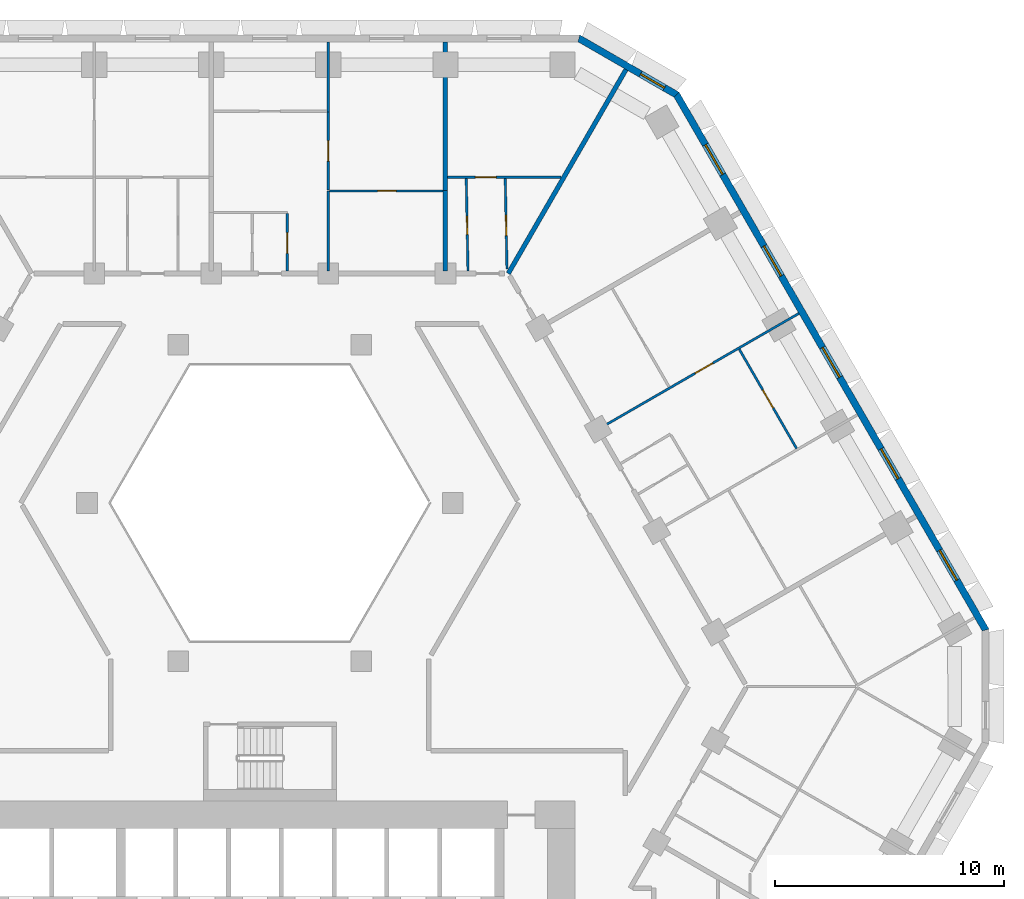
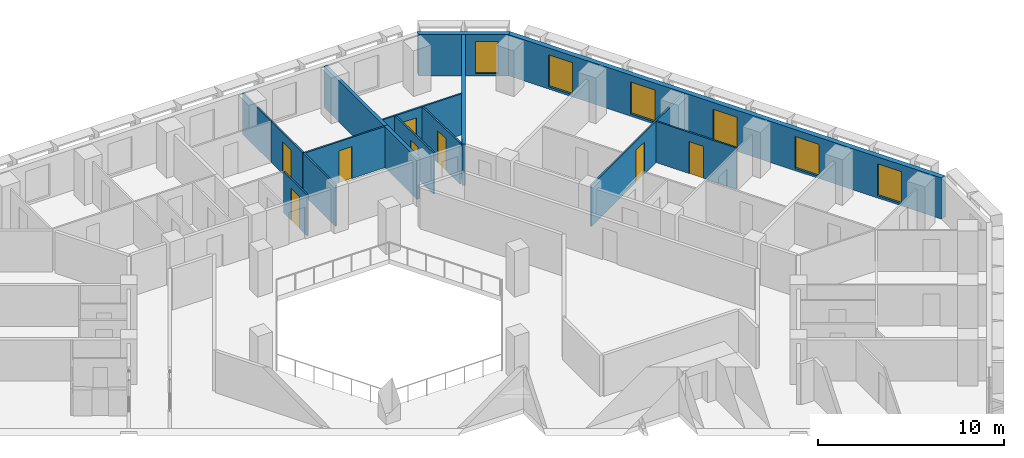
# One storey, part 10 of 16: 15 walls, 8 doors, 6 windows, 14 openings.
"""IFC4 building model written with IfcOpenShell, lengths in metres."""

from ifc_helpers import new_model, si_unit, direction, frame, frame_2d, origin, place, context, subcontext, project, spatial, polyline, rectangle, outline, extrude, material, layer, layer_set, type_object, element, fill, save


model = new_model("IFC4")

# Units and contexts
model_context = context("Model", 3, precision=1e-05, world=origin(), true_north=direction((0.0, 1.0)))
body_context = subcontext(model_context, "Body", "Model", "MODEL_VIEW")
ifc_project = project(units=[si_unit("LENGTHUNIT", "METRE"), si_unit("AREAUNIT", "SQUARE_METRE"), si_unit("VOLUMEUNIT", "CUBIC_METRE"), si_unit("PLANEANGLEUNIT", "RADIAN"), si_unit("MASSUNIT", "GRAM", prefix="KILO")], contexts=[model_context])

# Site, building, storey
site_placement = place(None, origin())
site = spatial("IfcSite", under=ifc_project, at=site_placement, CompositionType="ELEMENT")
building_placement = place(site_placement, origin())
building = spatial("IfcBuilding", under=site, at=building_placement, Name="Beryl Residences", CompositionType="ELEMENT")
storey_placement = place(building_placement, frame((0.0, 0.0, 26.39990234375)))
storey = spatial("IfcBuildingStorey", under=building, at=storey_placement, Name="L07", CompositionType="ELEMENT", Elevation=26.39990234375)

# Wall, openings, windows
ifc_material_1 = material(Name="Composite metal panel with mineral wool insulation")
ifc_layer_1 = layer(ifc_material_1, 0.300048828125)
ifc_layer_set_1 = layer_set([ifc_layer_1], Name="ES1 pale metal composite panel wall 300 mm")
wall_type_1 = type_object("IfcWallType", Name="ES1 pale metal composite panel wall 300 mm", PredefinedType="SOLIDWALL", material=ifc_layer_set_1)
wall_1_placement = place(storey_placement, frame((31.219970703125, 2.425048828125, 0.0), z_axis=(0.0, 0.0, 1.0), x_axis=(-0.500001938803, 0.866024284413, 0.0)))
wall_1 = element("IfcWall", 1, at=wall_1_placement, inside=storey, type_object=wall_type_1, Name="ES1 external wall L07 NE", PredefinedType="SOLIDWALL", context=body_context, shape_type="SweptSolid", body=[
    extrude(outline(polyline([(0.0, -0.14990234375), (27.02001953125, -0.14990234375), (26.939697265625, 0.14990234375), (0.080322265625, 0.14990234375), (0.0, -0.14990234375)])), origin(), (0.0, 0.0, 1.0), 2.7001953125),
])
opening_1_placement = place(wall_1_placement, frame((2.552978515625, 0.0, 0.14990234375)))
opening_1 = element("IfcOpeningElement", 2, at=opening_1_placement, cuts=wall_1, Name="Opening W1", PredefinedType="OPENING", context=body_context, shape_type="SweptSolid", body=[
    extrude(rectangle(XDim=1.5, YDim=2.10009765625, at=frame_2d((0.75, 1.050048828125))), frame((0.0, 0.159912109375, 0.0), z_axis=(0.0, -1.0, 0.0), x_axis=(1.0, 0.0, 0.0)), (0.0, 0.0, 1.0), 0.320068359375),
])
opening_2_placement = place(wall_1_placement, frame((7.656982421875, 0.0, 0.14990234375)))
opening_2 = element("IfcOpeningElement", 3, at=opening_2_placement, cuts=wall_1, Name="Opening W1", PredefinedType="OPENING", context=body_context, shape_type="SweptSolid", body=[
    extrude(rectangle(XDim=1.5, YDim=2.10009765625, at=frame_2d((0.75, 1.050048828125))), frame((0.0, 0.159912109375, 0.0), z_axis=(0.0, -1.0, 0.0), x_axis=(1.0, 0.0, 0.0)), (0.0, 0.0, 1.0), 0.320068359375),
])
opening_3_placement = place(wall_1_placement, frame((12.760986328125, 0.0, 0.14990234375)))
opening_3 = element("IfcOpeningElement", 4, at=opening_3_placement, cuts=wall_1, Name="Opening W1", PredefinedType="OPENING", context=body_context, shape_type="SweptSolid", body=[
    extrude(rectangle(XDim=1.5, YDim=2.10009765625, at=frame_2d((0.75, 1.050048828125))), frame((0.0, 0.159912109375, 0.0), z_axis=(0.0, -1.0, 0.0), x_axis=(1.0, 0.0, 0.0)), (0.0, 0.0, 1.0), 0.320068359375),
])
opening_4_placement = place(wall_1_placement, frame((17.864990234375, 0.0, 0.14990234375)))
opening_4 = element("IfcOpeningElement", 5, at=opening_4_placement, cuts=wall_1, Name="Opening W1", PredefinedType="OPENING", context=body_context, shape_type="SweptSolid", body=[
    extrude(rectangle(XDim=1.5, YDim=2.10009765625, at=frame_2d((0.75, 1.050048828125))), frame((0.0, 0.159912109375, 0.0), z_axis=(0.0, -1.0, 0.0), x_axis=(1.0, 0.0, 0.0)), (0.0, 0.0, 1.0), 0.320068359375),
])
opening_5_placement = place(wall_1_placement, frame((22.968994140625, 0.0, 0.14990234375)))
opening_5 = element("IfcOpeningElement", 6, at=opening_5_placement, cuts=wall_1, Name="Opening W1", PredefinedType="OPENING", context=body_context, shape_type="SweptSolid", body=[
    extrude(rectangle(XDim=1.5, YDim=2.10009765625, at=frame_2d((0.75, 1.050048828125))), frame((0.0, 0.159912109375, 0.0), z_axis=(0.0, -1.0, 0.0), x_axis=(1.0, 0.0, 0.0)), (0.0, 0.0, 1.0), 0.320068359375),
])
ifc_material_2 = material(Name="Aluminium and clear glass", Category="aluminium")
window_type_1 = type_object("IfcWindowType", Name="W1 cell window 1500 x 2100 mm", PartitioningType="SINGLE_PANEL", PredefinedType="WINDOW", material=ifc_material_2)
window_1_placement = place(opening_1_placement, origin())
window_1 = element("IfcWindow", 7, at=window_1_placement, inside=storey, type_object=window_type_1, Name="W1 window L07 NE 2", OverallHeight=2.10009765625, OverallWidth=1.5, PartitioningType="SINGLE_PANEL", PredefinedType="WINDOW", context=body_context, shape_type="SweptSolid", body=[
    extrude(rectangle(XDim=1.5, YDim=2.10009765625, at=frame_2d((0.75, 1.050048828125))), frame((0.0, 0.030029296875, 0.0), z_axis=(0.0, -1.0, 0.0), x_axis=(1.0, 0.0, 0.0)), (0.0, 0.0, 1.0), 0.06005859375),
])
fill(opening_1, window_1)
window_2_placement = place(opening_2_placement, origin())
window_2 = element("IfcWindow", 8, at=window_2_placement, inside=storey, type_object=window_type_1, Name="W1 window L07 NE 4", OverallHeight=2.10009765625, OverallWidth=1.5, PartitioningType="SINGLE_PANEL", PredefinedType="WINDOW", context=body_context, shape_type="SweptSolid", body=[
    extrude(rectangle(XDim=1.5, YDim=2.10009765625, at=frame_2d((0.75, 1.050048828125))), frame((0.0, 0.030029296875, 0.0), z_axis=(0.0, -1.0, 0.0), x_axis=(1.0, 0.0, 0.0)), (0.0, 0.0, 1.0), 0.06005859375),
])
fill(opening_2, window_2)
window_3_placement = place(opening_3_placement, origin())
window_3 = element("IfcWindow", 9, at=window_3_placement, inside=storey, type_object=window_type_1, Name="W1 window L07 NE 6", OverallHeight=2.10009765625, OverallWidth=1.5, PartitioningType="SINGLE_PANEL", PredefinedType="WINDOW", context=body_context, shape_type="SweptSolid", body=[
    extrude(rectangle(XDim=1.5, YDim=2.10009765625, at=frame_2d((0.75, 1.050048828125))), frame((0.0, 0.030029296875, 0.0), z_axis=(0.0, -1.0, 0.0), x_axis=(1.0, 0.0, 0.0)), (0.0, 0.0, 1.0), 0.06005859375),
])
fill(opening_3, window_3)
window_4_placement = place(opening_4_placement, origin())
window_4 = element("IfcWindow", 10, at=window_4_placement, inside=storey, type_object=window_type_1, Name="W1 window L07 NE 8", OverallHeight=2.10009765625, OverallWidth=1.5, PartitioningType="SINGLE_PANEL", PredefinedType="WINDOW", context=body_context, shape_type="SweptSolid", body=[
    extrude(rectangle(XDim=1.5, YDim=2.10009765625, at=frame_2d((0.75, 1.050048828125))), frame((0.0, 0.030029296875, 0.0), z_axis=(0.0, -1.0, 0.0), x_axis=(1.0, 0.0, 0.0)), (0.0, 0.0, 1.0), 0.06005859375),
])
fill(opening_4, window_4)
window_5_placement = place(opening_5_placement, origin())
window_5 = element("IfcWindow", 11, at=window_5_placement, inside=storey, type_object=window_type_1, Name="W1 window L07 NE 10", OverallHeight=2.10009765625, OverallWidth=1.5, PartitioningType="SINGLE_PANEL", PredefinedType="WINDOW", context=body_context, shape_type="SweptSolid", body=[
    extrude(rectangle(XDim=1.5, YDim=2.10009765625, at=frame_2d((0.75, 1.050048828125))), frame((0.0, 0.030029296875, 0.0), z_axis=(0.0, -1.0, 0.0), x_axis=(1.0, 0.0, 0.0)), (0.0, 0.0, 1.0), 0.06005859375),
])
fill(opening_5, window_5)

# Wall, opening, window
wall_2_placement = place(storey_placement, frame((17.764892578125, 25.77001953125, 0.0), z_axis=(0.0, 0.0, 1.0), x_axis=(-0.866010750942, 0.50002537861, 0.0)))
wall_2 = element("IfcWall", 12, at=wall_2_placement, inside=storey, type_object=wall_type_1, Name="ES1 external wall L07 NE-N", PredefinedType="SOLIDWALL", context=body_context, shape_type="SweptSolid", body=[
    extrude(outline(polyline([(0.0, -0.14990234375), (4.999755859375, -0.14990234375), (4.91943359375, 0.14990234375), (0.080322265625, 0.14990234375), (0.0, -0.14990234375)])), origin(), (0.0, 0.0, 1.0), 2.7001953125),
])
opening_6_placement = place(wall_2_placement, frame((0.64990234375, 0.0, 0.14990234375)))
opening_6 = element("IfcOpeningElement", 13, at=opening_6_placement, cuts=wall_2, Name="Opening W2", PredefinedType="OPENING", context=body_context, shape_type="SweptSolid", body=[
    extrude(rectangle(XDim=1.199951171875, YDim=2.10009765625, at=frame_2d((0.60009765625, 1.050048828125))), frame((0.0, 0.159912109375, 0.0), z_axis=(0.0, -1.0, 0.0), x_axis=(1.0, 0.0, 0.0)), (0.0, 0.0, 1.0), 0.320068359375),
])
ifc_material_3 = material(Name="Aluminium and clear glass", Category="aluminium")
window_type_2 = type_object("IfcWindowType", Name="W2 chamfer window 1200 x 2100 mm", PartitioningType="SINGLE_PANEL", PredefinedType="WINDOW", material=ifc_material_3)
window_6_placement = place(opening_6_placement, origin())
window_6 = element("IfcWindow", 14, at=window_6_placement, inside=storey, type_object=window_type_2, Name="W2 window L07 NE-N 1", OverallHeight=2.10009765625, OverallWidth=1.199951171875, PartitioningType="SINGLE_PANEL", PredefinedType="WINDOW", context=body_context, shape_type="SweptSolid", body=[
    extrude(rectangle(XDim=1.199951171875, YDim=2.10009765625, at=frame_2d((0.60009765625, 1.050048828125))), frame((0.0, 0.030029296875, 0.0), z_axis=(0.0, -1.0, 0.0), x_axis=(1.0, 0.0, 0.0)), (0.0, 0.0, 1.0), 0.06005859375),
])
fill(opening_6, window_6)

# Wall, opening, door
ifc_material_4 = material(Name="Gypsum board partition on steel studs", Category="steel")
ifc_layer_2 = layer(ifc_material_4, 0.10009765625)
ifc_layer_set_2 = layer_set([ifc_layer_2], Name="PT1 partition 100 mm gypsum board on steel studs")
wall_type_2 = type_object("IfcWallType", Name="PT1 partition 100 mm gypsum board on steel studs", PredefinedType="PARTITIONING", material=ifc_layer_set_2)
wall_3_placement = place(storey_placement, frame((20.4599609375, 14.702880859375, 0.0), z_axis=(0.0, 0.0, 1.0), x_axis=(0.499918186652, -0.866072633591, 0.0)))
wall_3 = element("IfcWall", 15, at=wall_3_placement, inside=storey, type_object=wall_type_2, Name="Wall PT1 L07 007", PredefinedType="PARTITIONING", context=body_context, shape_type="SweptSolid", body=[
    extrude(rectangle(XDim=5.002685546875, YDim=0.10009765625, at=frame_2d((2.50146484375, 0.0))), origin(), (0.0, 0.0, 1.0), 2.7001953125),
])
opening_7_placement = place(wall_3_placement, frame((2.052001953125, 0.0, 0.0)))
opening_7 = element("IfcOpeningElement", 16, at=opening_7_placement, cuts=wall_3, Name="Opening D0453", PredefinedType="OPENING", context=body_context, shape_type="SweptSolid", body=[
    extrude(rectangle(XDim=0.89990234375, YDim=2.10009765625, at=frame_2d((0.449951171875, 1.050048828125))), frame((0.0, 0.06005859375, 0.0), z_axis=(0.0, -1.0, 0.0), x_axis=(1.0, 0.0, 0.0)), (0.0, 0.0, 1.0), 0.1201171875),
])
ifc_material_5 = material(Name="Timber door leaf", Category="wood")
door_type_1 = type_object("IfcDoorType", Name="D2 room door 900 x 2100 mm", OperationType="SINGLE_SWING_LEFT", PredefinedType="DOOR", material=ifc_material_5)
door_1_placement = place(opening_7_placement, origin())
door_1 = element("IfcDoor", 17, at=door_1_placement, inside=storey, type_object=door_type_1, Name="Door D0453 L07 001", OperationType="SINGLE_SWING_LEFT", OverallHeight=2.10009765625, OverallWidth=0.89990234375, PredefinedType="DOOR", context=body_context, shape_type="SweptSolid", body=[
    extrude(rectangle(XDim=0.89990234375, YDim=2.10009765625, at=frame_2d((0.449951171875, 1.050048828125))), frame((0.0, 0.02490234375, 0.0), z_axis=(0.0, -1.0, 0.0), x_axis=(1.0, 0.0, 0.0)), (0.0, 0.0, 1.0), 0.050048828125),
])
fill(opening_7, door_1)

wall_4_placement = place(storey_placement, frame((8.56201171875, 22.14990234375, 0.0), z_axis=(0.0, 0.0, 1.0), x_axis=(0.018504185939, -0.999828782894, 0.0)))
wall_4 = element("IfcWall", 18, at=wall_4_placement, inside=storey, type_object=wall_type_2, Name="Wall PT1 L07 008", PredefinedType="PARTITIONING", context=body_context, shape_type="SweptSolid", body=[
    extrude(rectangle(XDim=4.050537109375, YDim=0.10009765625, at=frame_2d((2.025390625, 0.0))), origin(), (0.0, 0.0, 1.0), 2.7001953125),
])
opening_8_placement = place(wall_4_placement, frame((1.64990234375, 0.0, 0.0)))
opening_8 = element("IfcOpeningElement", 19, at=opening_8_placement, cuts=wall_4, Name="Opening D0460", PredefinedType="OPENING", context=body_context, shape_type="SweptSolid", body=[
    extrude(rectangle(XDim=0.800048828125, YDim=2.10009765625, at=frame_2d((0.39990234375, 1.050048828125))), frame((0.0, 0.06005859375, 0.0), z_axis=(0.0, -1.0, 0.0), x_axis=(1.0, 0.0, 0.0)), (0.0, 0.0, 1.0), 0.1201171875),
])
ifc_material_6 = material(Name="Timber door leaf", Category="wood")
door_type_2 = type_object("IfcDoorType", Name="D3 bathroom door 800 x 2100 mm", OperationType="SINGLE_SWING_LEFT", PredefinedType="DOOR", material=ifc_material_6)
door_2_placement = place(opening_8_placement, origin())
door_2 = element("IfcDoor", 20, at=door_2_placement, inside=storey, type_object=door_type_2, Name="Door D0460 L07 001", OperationType="SINGLE_SWING_RIGHT", OverallHeight=2.10009765625, OverallWidth=0.800048828125, PredefinedType="DOOR", context=body_context, shape_type="SweptSolid", body=[
    extrude(rectangle(XDim=0.800048828125, YDim=2.10009765625, at=frame_2d((0.39990234375, 1.050048828125))), frame((0.0, 0.02490234375, 0.0), z_axis=(0.0, -1.0, 0.0), x_axis=(1.0, 0.0, 0.0)), (0.0, 0.0, 1.0), 0.050048828125),
])
fill(opening_8, door_2)

wall_5_placement = place(storey_placement, frame((10.261962890625, 22.14990234375, 0.0), z_axis=(0.0, 0.0, 1.0), x_axis=(0.018696971826, -0.999825196344, 0.0)))
wall_5 = element("IfcWall", 21, at=wall_5_placement, inside=storey, type_object=wall_type_2, Name="Wall PT1 L07 009", PredefinedType="PARTITIONING", context=body_context, shape_type="SweptSolid", body=[
    extrude(rectangle(XDim=3.95654296875, YDim=0.10009765625, at=frame_2d((1.978271484375, 0.0))), origin(), (0.0, 0.0, 1.0), 2.7001953125),
])
opening_9_placement = place(wall_5_placement, frame((1.60009765625, 0.0, 0.0)))
opening_9 = element("IfcOpeningElement", 22, at=opening_9_placement, cuts=wall_5, Name="Opening D0461", PredefinedType="OPENING", context=body_context, shape_type="SweptSolid", body=[
    extrude(rectangle(XDim=0.89990234375, YDim=2.10009765625, at=frame_2d((0.449951171875, 1.050048828125))), frame((0.0, 0.06005859375, 0.0), z_axis=(0.0, -1.0, 0.0), x_axis=(1.0, 0.0, 0.0)), (0.0, 0.0, 1.0), 0.1201171875),
])
door_3_placement = place(opening_9_placement, origin())
door_3 = element("IfcDoor", 23, at=door_3_placement, inside=storey, type_object=door_type_1, Name="Door D0461 L07 001", OperationType="SINGLE_SWING_LEFT", OverallHeight=2.10009765625, OverallWidth=0.89990234375, PredefinedType="DOOR", context=body_context, shape_type="SweptSolid", body=[
    extrude(rectangle(XDim=0.89990234375, YDim=2.10009765625, at=frame_2d((0.449951171875, 1.050048828125))), frame((0.0, 0.02490234375, 0.0), z_axis=(0.0, -1.0, 0.0), x_axis=(1.0, 0.0, 0.0)), (0.0, 0.0, 1.0), 0.050048828125),
])
fill(opening_9, door_3)

wall_6_placement = place(storey_placement, frame((0.764892578125, 20.60888671875, 0.0), z_axis=(0.0, 0.0, 1.0), x_axis=(0.0, -1.0, 0.0)))
wall_6 = element("IfcWall", 24, at=wall_6_placement, inside=storey, type_object=wall_type_2, Name="Wall PT1 L07 013", PredefinedType="PARTITIONING", context=body_context, shape_type="SweptSolid", body=[
    extrude(rectangle(XDim=2.5087890625, YDim=0.10009765625, at=frame_2d((1.25439453125, 0.0))), origin(), (0.0, 0.0, 1.0), 2.7001953125),
])
opening_10_placement = place(wall_6_placement, frame((0.8291015625, 0.0, 0.0)))
opening_10 = element("IfcOpeningElement", 25, at=opening_10_placement, cuts=wall_6, Name="Opening D0464", PredefinedType="OPENING", context=body_context, shape_type="SweptSolid", body=[
    extrude(rectangle(XDim=0.89990234375, YDim=2.10009765625, at=frame_2d((0.449951171875, 1.050048828125))), frame((0.0, 0.06005859375, 0.0), z_axis=(0.0, -1.0, 0.0), x_axis=(1.0, 0.0, 0.0)), (0.0, 0.0, 1.0), 0.1201171875),
])
door_4_placement = place(opening_10_placement, origin())
door_4 = element("IfcDoor", 26, at=door_4_placement, inside=storey, type_object=door_type_1, Name="Door D0464 L07 001", OperationType="SINGLE_SWING_RIGHT", OverallHeight=2.10009765625, OverallWidth=0.89990234375, PredefinedType="DOOR", context=body_context, shape_type="SweptSolid", body=[
    extrude(rectangle(XDim=0.89990234375, YDim=2.10009765625, at=frame_2d((0.449951171875, 1.050048828125))), frame((0.0, 0.02490234375, 0.0), z_axis=(0.0, -1.0, 0.0), x_axis=(1.0, 0.0, 0.0)), (0.0, 0.0, 1.0), 0.050048828125),
])
fill(opening_10, door_4)

wall_7_placement = place(storey_placement, frame((2.551025390625, 25.0400390625, 0.0), z_axis=(0.0, 0.0, 1.0), x_axis=(0.0, -1.0, 0.0)))
wall_7 = element("IfcWall", 27, at=wall_7_placement, inside=storey, type_object=wall_type_2, Name="Wall PT1 L07 014", PredefinedType="PARTITIONING", context=body_context, shape_type="SweptSolid", body=[
    extrude(rectangle(XDim=3.39013671875, YDim=0.10009765625, at=frame_2d((1.695068359375, 0.0))), origin(), (0.0, 0.0, 1.0), 2.7001953125),
])
opening_11_placement = place(wall_7_placement, frame((1.2451171875, 0.0, 0.0)))
opening_11 = element("IfcOpeningElement", 28, at=opening_11_placement, cuts=wall_7, Name="Opening D0467", PredefinedType="OPENING", context=body_context, shape_type="SweptSolid", body=[
    extrude(rectangle(XDim=0.89990234375, YDim=2.10009765625, at=frame_2d((0.449951171875, 1.050048828125))), frame((0.0, 0.06005859375, 0.0), z_axis=(0.0, -1.0, 0.0), x_axis=(1.0, 0.0, 0.0)), (0.0, 0.0, 1.0), 0.1201171875),
])
door_5_placement = place(opening_11_placement, origin())
door_5 = element("IfcDoor", 29, at=door_5_placement, inside=storey, type_object=door_type_1, Name="Door D0467 L07 001", OperationType="SINGLE_SWING_LEFT", OverallHeight=2.10009765625, OverallWidth=0.89990234375, PredefinedType="DOOR", context=body_context, shape_type="SweptSolid", body=[
    extrude(rectangle(XDim=0.89990234375, YDim=2.10009765625, at=frame_2d((0.449951171875, 1.050048828125))), frame((0.0, 0.02490234375, 0.0), z_axis=(0.0, -1.0, 0.0), x_axis=(1.0, 0.0, 0.0)), (0.0, 0.0, 1.0), 0.050048828125),
])
fill(opening_11, door_5)

wall_8_placement = place(storey_placement, frame((2.60107421875, 21.60009765625, 0.0), z_axis=(0.0, 0.0, 1.0), x_axis=(1.0, 0.0, 0.0)))
wall_8 = element("IfcWall", 30, at=wall_8_placement, inside=storey, type_object=wall_type_2, Name="Wall PT1 L07 036", PredefinedType="PARTITIONING", context=body_context, shape_type="SweptSolid", body=[
    extrude(rectangle(XDim=4.953857421875, YDim=0.10009765625, at=frame_2d((2.47705078125, 0.0))), origin(), (0.0, 0.0, 1.0), 2.7001953125),
])
opening_12_placement = place(wall_8_placement, frame((2.10205078125, 0.0, 0.0)))
opening_12 = element("IfcOpeningElement", 31, at=opening_12_placement, cuts=wall_8, Name="Opening D0468", PredefinedType="OPENING", context=body_context, shape_type="SweptSolid", body=[
    extrude(rectangle(XDim=0.800048828125, YDim=2.10009765625, at=frame_2d((0.39990234375, 1.050048828125))), frame((0.0, 0.06005859375, 0.0), z_axis=(0.0, -1.0, 0.0), x_axis=(1.0, 0.0, 0.0)), (0.0, 0.0, 1.0), 0.1201171875),
])
door_6_placement = place(opening_12_placement, origin())
door_6 = element("IfcDoor", 32, at=door_6_placement, inside=storey, type_object=door_type_2, Name="Door D0468 L07 001", OperationType="SINGLE_SWING_RIGHT", OverallHeight=2.10009765625, OverallWidth=0.800048828125, PredefinedType="DOOR", context=body_context, shape_type="SweptSolid", body=[
    extrude(rectangle(XDim=0.800048828125, YDim=2.10009765625, at=frame_2d((0.39990234375, 1.050048828125))), frame((0.0, 0.02490234375, 0.0), z_axis=(0.0, -1.0, 0.0), x_axis=(1.0, 0.0, 0.0)), (0.0, 0.0, 1.0), 0.050048828125),
])
fill(opening_12, door_6)

wall_9_placement = place(storey_placement, frame((7.7548828125, 22.199951171875, 0.0), z_axis=(0.0, 0.0, 1.0), x_axis=(1.0, 0.0, 0.0)))
wall_9 = element("IfcWall", 33, at=wall_9_placement, inside=storey, type_object=wall_type_2, Name="Wall PT1 L07 038", PredefinedType="PARTITIONING", context=body_context, shape_type="SweptSolid", body=[
    extrude(rectangle(XDim=4.947021484375, YDim=0.10009765625, at=frame_2d((2.4736328125, 0.0))), origin(), (0.0, 0.0, 1.0), 2.7001953125),
])
opening_13_placement = place(wall_9_placement, frame((1.2060546875, 0.0, 0.0)))
opening_13 = element("IfcOpeningElement", 34, at=opening_13_placement, cuts=wall_9, Name="Opening D0462", PredefinedType="OPENING", context=body_context, shape_type="SweptSolid", body=[
    extrude(rectangle(XDim=0.89990234375, YDim=2.10009765625, at=frame_2d((0.449951171875, 1.050048828125))), frame((0.0, 0.06005859375, 0.0), z_axis=(0.0, -1.0, 0.0), x_axis=(1.0, 0.0, 0.0)), (0.0, 0.0, 1.0), 0.1201171875),
])
door_7_placement = place(opening_13_placement, origin())
door_7 = element("IfcDoor", 35, at=door_7_placement, inside=storey, type_object=door_type_1, Name="Door D0462 L07 001", OperationType="SINGLE_SWING_RIGHT", OverallHeight=2.10009765625, OverallWidth=0.89990234375, PredefinedType="DOOR", context=body_context, shape_type="SweptSolid", body=[
    extrude(rectangle(XDim=0.89990234375, YDim=2.10009765625, at=frame_2d((0.449951171875, 1.050048828125))), frame((0.0, 0.02490234375, 0.0), z_axis=(0.0, -1.0, 0.0), x_axis=(1.0, 0.0, 0.0)), (0.0, 0.0, 1.0), 0.050048828125),
])
fill(opening_13, door_7)

# Walls
wall_10_placement = place(storey_placement, frame((2.551025390625, 18.10009765625, 0.0), z_axis=(0.0, 0.0, 1.0), x_axis=(0.0, 1.0, 0.0)))
element("IfcWall", 36, at=wall_10_placement, inside=storey, type_object=wall_type_2, Name="Wall PT1 L07 049", PredefinedType="PARTITIONING", context=body_context, shape_type="SweptSolid", body=[
    extrude(rectangle(XDim=3.5, YDim=0.10009765625, at=frame_2d((1.75, 0.0))), origin(), (0.0, 0.0, 1.0), 2.7001953125),
])
wall_11_placement = place(storey_placement, frame((2.551025390625, 25.050048828125, 0.0), z_axis=(0.0, 0.0, 1.0), x_axis=(0.0, 1.0, 0.0)))
element("IfcWall", 37, at=wall_11_placement, inside=storey, type_object=wall_type_2, Name="Wall PT1 L07 050", PredefinedType="PARTITIONING", context=body_context, shape_type="SweptSolid", body=[
    extrude(rectangle(XDim=3.050048828125, YDim=0.10009765625, at=frame_2d((1.52490234375, 0.0))), origin(), (0.0, 0.0, 1.0), 2.7001953125),
])

# Wall, opening, door
wall_12_placement = place(storey_placement, frame((14.39892578125, 11.260986328125, 0.0), z_axis=(0.0, 0.0, 1.0), x_axis=(0.866022959057, 0.500004234368, 0.0)))
wall_12 = element("IfcWall", 38, at=wall_12_placement, inside=storey, type_object=wall_type_2, Name="Wall PT1 L07 068", PredefinedType="PARTITIONING", context=body_context, shape_type="SweptSolid", body=[
    extrude(rectangle(XDim=10.0, YDim=0.10009765625, at=frame_2d((5.0, 0.0))), origin(), (0.0, 0.0, 1.0), 2.7001953125),
])
opening_14_placement = place(wall_12_placement, frame((4.77490234375, 0.0, 0.0)))
opening_14 = element("IfcOpeningElement", 39, at=opening_14_placement, cuts=wall_12, Name="Opening D0454", PredefinedType="OPENING", context=body_context, shape_type="SweptSolid", body=[
    extrude(rectangle(XDim=0.89990234375, YDim=2.10009765625, at=frame_2d((0.449951171875, 1.050048828125))), frame((0.0, 0.06005859375, 0.0), z_axis=(0.0, -1.0, 0.0), x_axis=(1.0, 0.0, 0.0)), (0.0, 0.0, 1.0), 0.1201171875),
])
door_8_placement = place(opening_14_placement, origin())
door_8 = element("IfcDoor", 40, at=door_8_placement, inside=storey, type_object=door_type_1, Name="Door D0454 L07 001", OperationType="SINGLE_SWING_RIGHT", OverallHeight=2.10009765625, OverallWidth=0.89990234375, PredefinedType="DOOR", context=body_context, shape_type="SweptSolid", body=[
    extrude(rectangle(XDim=0.89990234375, YDim=2.10009765625, at=frame_2d((0.449951171875, 1.050048828125))), frame((0.0, 0.02490234375, 0.0), z_axis=(0.0, -1.0, 0.0), x_axis=(1.0, 0.0, 0.0)), (0.0, 0.0, 1.0), 0.050048828125),
])
fill(opening_14, door_8)

# Walls
ifc_material_7 = material(Name="Acoustic double stud gypsum board wall")
ifc_layer_3 = layer(ifc_material_7, 0.199951171875)
ifc_layer_set_3 = layer_set([ifc_layer_3], Name="PT3 party wall 200 mm acoustic double stud")
wall_type_3 = type_object("IfcWallType", Name="PT3 party wall 200 mm acoustic double stud", PredefinedType="PARTITIONING", material=ifc_layer_set_3)
wall_13_placement = place(storey_placement, frame((7.655029296875, 21.6201171875, 0.0), z_axis=(0.0, 0.0, 1.0), x_axis=(0.0, -1.0, 0.0)))
element("IfcWall", 41, at=wall_13_placement, inside=storey, type_object=wall_type_3, Name="Wall PT3 L07 003", PredefinedType="PARTITIONING", context=body_context, shape_type="SweptSolid", body=[
    extrude(rectangle(XDim=3.52001953125, YDim=0.199951171875, at=frame_2d((1.760009765625, 0.0))), origin(), (0.0, 0.0, 1.0), 2.7001953125),
])
wall_14_placement = place(storey_placement, frame((10.39306640625, 18.0, 0.0), z_axis=(0.0, 0.0, 1.0), x_axis=(0.499945497007, 0.866056868816, 0.0)))
element("IfcWall", 42, at=wall_14_placement, inside=storey, type_object=wall_type_3, Name="Wall PT3 L07 014", PredefinedType="PARTITIONING", context=body_context, shape_type="SweptSolid", body=[
    extrude(rectangle(XDim=10.264892578125, YDim=0.199951171875, at=frame_2d((5.13232421875, 0.0))), origin(), (0.0, 0.0, 1.0), 2.7001953125),
])
wall_15_placement = place(storey_placement, frame((7.655029296875, 21.580078125, 0.0), z_axis=(0.0, 0.0, 1.0), x_axis=(0.0, 1.0, 0.0)))
element("IfcWall", 43, at=wall_15_placement, inside=storey, type_object=wall_type_3, Name="Wall PT3 L07 017", PredefinedType="PARTITIONING", context=body_context, shape_type="SweptSolid", body=[
    extrude(rectangle(XDim=6.52001953125, YDim=0.199951171875, at=frame_2d((3.260009765625, 0.0))), origin(), (0.0, 0.0, 1.0), 2.7001953125),
])

save(model, "model.ifc")
